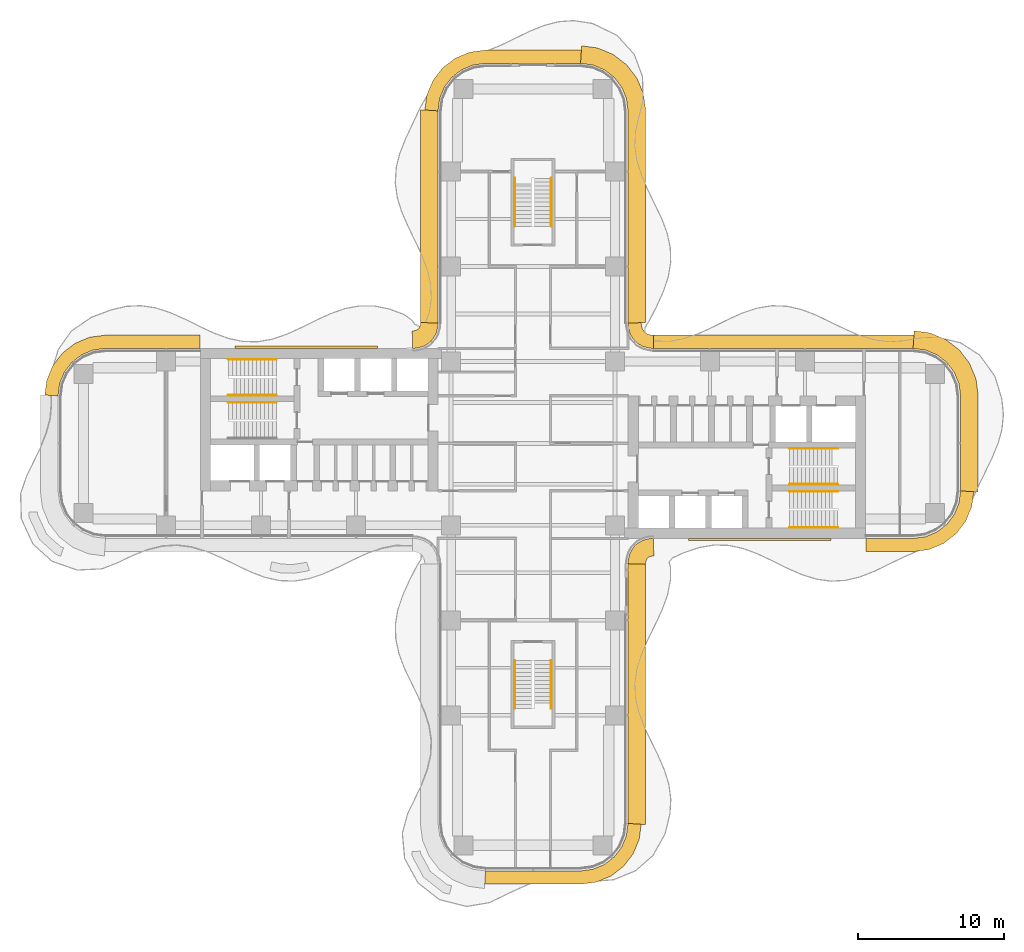
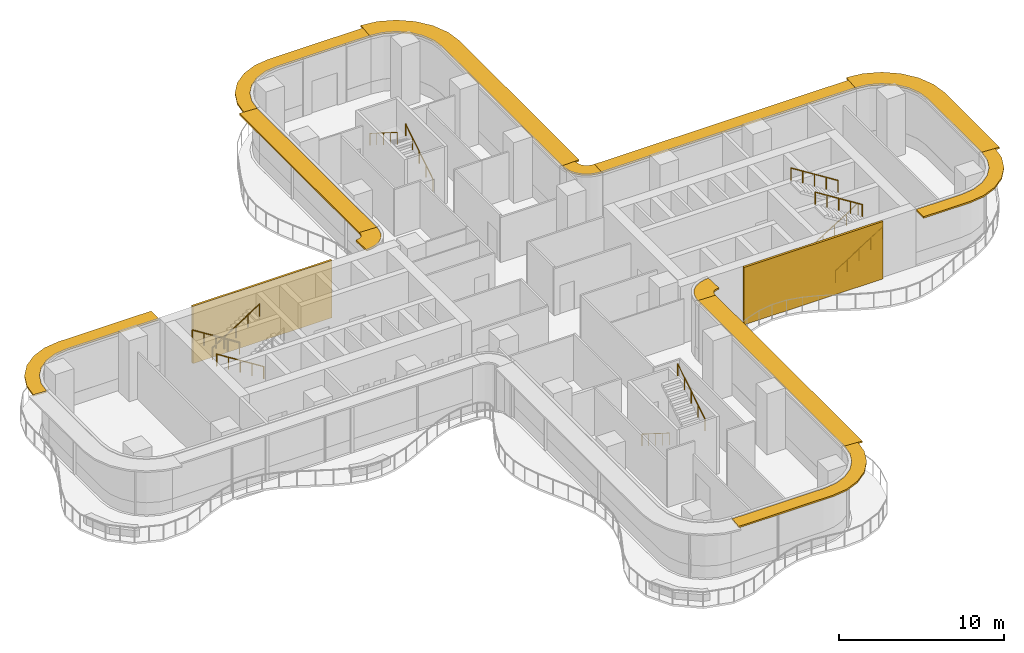
# One storey, part 23 of 23: 12 shading devices, 11 railings, 2 coverings.
"""IFC4 building model written with IfcOpenShell, lengths in metres."""

from ifc_helpers import new_model, si_unit, direction, frame, origin, origin_2d, place, context, subcontext, project, spatial, polyline, circle, outline, extrude, source, transform, mapped, material, layer, layer_set, type_object, element, save


model = new_model("IFC4")

# Units and contexts
model_context = context("Model", 3, precision=1e-05, world=origin(), true_north=direction((0.0, 1.0)))
body_context = subcontext(model_context, "Body", "Model", "MODEL_VIEW")
ifc_project = project(units=[si_unit("LENGTHUNIT", "METRE"), si_unit("AREAUNIT", "SQUARE_METRE"), si_unit("VOLUMEUNIT", "CUBIC_METRE"), si_unit("PLANEANGLEUNIT", "RADIAN"), si_unit("MASSUNIT", "GRAM", prefix="KILO")], contexts=[model_context])

# Site, building, storey
site_placement = place(None, origin())
site = spatial("IfcSite", under=ifc_project, at=site_placement, CompositionType="ELEMENT")
building_placement = place(site_placement, origin())
building = spatial("IfcBuilding", under=site, at=building_placement, Name="Trellis Farm Tower", CompositionType="ELEMENT")
storey_placement = place(building_placement, frame((0.0, 0.0, 111.0)))
storey = spatial("IfcBuildingStorey", under=building, at=storey_placement, Name="L23", CompositionType="ELEMENT", Elevation=111.0)

# Railings
ifc_material_1 = material(Name="Stainless steel", Category="steel")
railing_type = type_object("IfcRailingType", Name="STAIR HANDRAIL 900", PredefinedType="HANDRAIL", material=ifc_material_1)
shared_shape_1 = source(origin(), body_context, "Body", "SweptSolid", [
    extrude(circle(Radius=0.02392578125, at=origin_2d()), frame((0.0, 0.0, 0.8759765625), z_axis=(0.0, 0.846319618018, 0.532675421018), x_axis=(-1.0, 0.0, 0.0)), (0.0, 0.0, 1.0), 3.89892578125),
    extrude(circle(Radius=0.02099609375, at=origin_2d()), origin(), (0.0, 0.0, 1.0), 0.851806640625),
    extrude(circle(Radius=0.02099609375, at=origin_2d()), frame((0.0, 0.824951171875, 0.519287109375)), (0.0, 0.0, 1.0), 0.851806640625),
    extrude(circle(Radius=0.02099609375, at=origin_2d()), frame((0.0, 1.64990234375, 1.03857421875)), (0.0, 0.0, 1.0), 0.851806640625),
    extrude(circle(Radius=0.02099609375, at=origin_2d()), frame((0.0, 2.474853515625, 1.5576171875)), (0.0, 0.0, 1.0), 0.851806640625),
    extrude(circle(Radius=0.02099609375, at=origin_2d()), frame((0.0, 3.2998046875, 2.076904296875)), (0.0, 0.0, 1.0), 0.851806640625),
])
for number, where, name in (
    (1, (1.25, 14.85009765625, 0.173095703125), "Stair handrail"),
    (2, (1.25, -18.14990234375, 2.423095703125), "Stair handrail"),
):
    element("IfcRailing", number, at=place(storey_placement, frame(where)), inside=storey, type_object=railing_type, Name=name, PredefinedType="HANDRAIL", context=body_context, shape_type="MappedRepresentation", body=[
        mapped(shared_shape_1, transform((0.0, 0.0, 0.0))),
    ])
shared_shape_2 = source(origin(), body_context, "Body", "SweptSolid", [
    extrude(circle(Radius=0.02392578125, at=origin_2d()), frame((0.0, 0.0, 0.8759765625), z_axis=(0.0, -0.846319618018, 0.532675421018), x_axis=(1.0, 0.0, 0.0)), (0.0, 0.0, 1.0), 3.89892578125),
    extrude(circle(Radius=0.02099609375, at=origin_2d()), origin(), (0.0, 0.0, 1.0), 0.851806640625),
    extrude(circle(Radius=0.02099609375, at=origin_2d()), frame((0.0, -0.824951171875, 0.519287109375)), (0.0, 0.0, 1.0), 0.851806640625),
    extrude(circle(Radius=0.02099609375, at=origin_2d()), frame((0.0, -1.64990234375, 1.03857421875)), (0.0, 0.0, 1.0), 0.851806640625),
    extrude(circle(Radius=0.02099609375, at=origin_2d()), frame((0.0, -2.474853515625, 1.5576171875)), (0.0, 0.0, 1.0), 0.851806640625),
    extrude(circle(Radius=0.02099609375, at=origin_2d()), frame((0.0, -3.2998046875, 2.076904296875)), (0.0, 0.0, 1.0), 0.851806640625),
])
for number, where, name in (
    (3, (-1.25, 18.14990234375, 2.423095703125), "Stair handrail"),
    (4, (-1.25, -14.85009765625, 0.173095703125), "Stair handrail"),
):
    element("IfcRailing", number, at=place(storey_placement, frame(where)), inside=storey, type_object=railing_type, Name=name, PredefinedType="HANDRAIL", context=body_context, shape_type="MappedRepresentation", body=[
        mapped(shared_shape_2, transform((0.0, 0.0, 0.0))),
    ])
shared_shape_3 = source(origin(), body_context, "Body", "SweptSolid", [
    extrude(circle(Radius=0.02392578125, at=origin_2d()), frame((0.0, 0.0, 0.8759765625), z_axis=(0.846337383501, 0.0, 0.532647194011), x_axis=(0.0, 1.0, 0.0)), (0.0, 0.0, 1.0), 3.899169921875),
    extrude(circle(Radius=0.02099609375, at=origin_2d()), origin(), (0.0, 0.0, 1.0), 0.851806640625),
    extrude(circle(Radius=0.02099609375, at=origin_2d()), frame((0.824951171875, 0.0, 0.519287109375)), (0.0, 0.0, 1.0), 0.851806640625),
    extrude(circle(Radius=0.02099609375, at=origin_2d()), frame((1.64990234375, 0.0, 1.03857421875)), (0.0, 0.0, 1.0), 0.851806640625),
    extrude(circle(Radius=0.02099609375, at=origin_2d()), frame((2.47509765625, 0.0, 1.5576171875)), (0.0, 0.0, 1.0), 0.851806640625),
    extrude(circle(Radius=0.02099609375, at=origin_2d()), frame((3.300048828125, 0.0, 2.076904296875)), (0.0, 0.0, 1.0), 0.851806640625),
])
for number, where, name in (
    (5, (17.550048828125, -5.75, 0.173095703125), "Stair handrail"),
    (6, (17.550048828125, -2.800048828125, 0.173095703125), "Stair handrail"),
    (7, (-20.85009765625, 3.300048828125, 2.423095703125), "Stair handrail"),
):
    element("IfcRailing", number, at=place(storey_placement, frame(where)), inside=storey, type_object=railing_type, Name=name, PredefinedType="HANDRAIL", context=body_context, shape_type="MappedRepresentation", body=[
        mapped(shared_shape_3, transform((0.0, 0.0, 0.0))),
    ])
shared_shape_4 = source(origin(), body_context, "Body", "SweptSolid", [
    extrude(circle(Radius=0.02392578125, at=origin_2d()), frame((0.0, 0.0, 0.8759765625), z_axis=(-0.846337383501, 0.0, 0.532647194011), x_axis=(0.0, -1.0, 0.0)), (0.0, 0.0, 1.0), 3.899169921875),
    extrude(circle(Radius=0.02099609375, at=origin_2d()), origin(), (0.0, 0.0, 1.0), 0.851806640625),
    extrude(circle(Radius=0.02099609375, at=origin_2d()), frame((-0.824951171875, 0.0, 0.519287109375)), (0.0, 0.0, 1.0), 0.851806640625),
    extrude(circle(Radius=0.02099609375, at=origin_2d()), frame((-1.64990234375, 0.0, 1.03857421875)), (0.0, 0.0, 1.0), 0.851806640625),
    extrude(circle(Radius=0.02099609375, at=origin_2d()), frame((-2.47509765625, 0.0, 1.5576171875)), (0.0, 0.0, 1.0), 0.851806640625),
    extrude(circle(Radius=0.02099609375, at=origin_2d()), frame((-3.300048828125, 0.0, 2.076904296875)), (0.0, 0.0, 1.0), 0.851806640625),
])
for number, where, name in (
    (8, (20.85009765625, -3.300048828125, 2.423095703125), "Stair handrail"),
    (9, (20.85009765625, -0.35009765625, 2.423095703125), "Stair handrail"),
    (10, (-17.550048828125, 5.75, 0.173095703125), "Stair handrail"),
    (11, (-17.550048828125, 2.800048828125, 0.173095703125), "Stair handrail"),
):
    element("IfcRailing", number, at=place(storey_placement, frame(where)), inside=storey, type_object=railing_type, Name=name, PredefinedType="HANDRAIL", context=body_context, shape_type="MappedRepresentation", body=[
        mapped(shared_shape_4, transform((0.0, 0.0, 0.0))),
    ])

# Shading devices
ifc_material_2 = material(Name="Aluminium extrusion 6063-T6", Category="aluminium")
ifc_layer_1 = layer(ifc_material_2, 0.1201171875)
ifc_layer_set_1 = layer_set([ifc_layer_1], Name="SUNSHADE BLADE 900")
shading_device_type_1 = type_object("IfcShadingDeviceType", Name="SUNSHADE BLADE 900", PredefinedType="USERDEFINED", material=ifc_layer_set_1)
shared_shape_5 = source(origin(), body_context, "Body", "SweptSolid", [
    extrude(outline(polyline([(-3.30908203125, -30.14990234375), (3.30908203125, -30.14990234375), (4.326171875, -30.01611328125), (5.328857421875, -29.600830078125), (6.18994140625, -28.93994140625), (6.850830078125, -28.078857421875), (7.26611328125, -27.076171875), (7.39990234375, -26.05908203125), (6.5, -26.0), (6.38916015625, -26.841064453125), (6.064697265625, -27.625), (5.548095703125, -28.298095703125), (4.875, -28.814697265625), (4.091064453125, -29.13916015625), (3.25, -29.25), (-3.25, -29.25), (-3.30908203125, -30.14990234375)])), origin(), (0.0, 0.0, 1.0), 0.119873046875),
])
placement_1 = place(storey_placement, frame((0.0, 0.0, 4.090087890625)))
element("IfcShadingDevice", 12, at=placement_1, inside=storey, type_object=shading_device_type_1, Name="SD1 004", ObjectType="SUNSHADE", PredefinedType="USERDEFINED", context=body_context, shape_type="MappedRepresentation", body=[
    mapped(shared_shape_5, transform((0.0, 0.0, 0.0))),
])
ifc_layer_2 = layer(ifc_material_2, 0.1201171875)
ifc_layer_set_2 = layer_set([ifc_layer_2], Name="SUNSHADE BLADE 1200")
shading_device_type_2 = type_object("IfcShadingDeviceType", Name="SUNSHADE BLADE 1200", PredefinedType="USERDEFINED", material=ifc_layer_set_2)
shared_shape_6 = source(origin(), body_context, "Body", "SweptSolid", [
    extrude(outline(polyline([(7.699951171875, -26.07861328125), (7.699951171875, -8.270751953125), (6.5, -8.2314453125), (6.5, -26.0), (7.699951171875, -26.07861328125)])), origin(), (0.0, 0.0, 1.0), 0.119873046875),
])
element("IfcShadingDevice", 13, at=placement_1, inside=storey, type_object=shading_device_type_2, Name="SD2 005", ObjectType="SUNSHADE", PredefinedType="USERDEFINED", context=body_context, shape_type="MappedRepresentation", body=[
    mapped(shared_shape_6, transform((0.0, 0.0, 0.0))),
])
shared_shape_7 = source(origin(), body_context, "Body", "SweptSolid", [
    extrude(outline(polyline([(7.699951171875, -8.270751953125), (7.708740234375, -8.13720703125), (7.70703125, -8.150146484375), (7.7548828125, -7.9716796875), (7.80712890625, -7.881103515625), (7.881103515625, -7.80712890625), (7.9716796875, -7.7548828125), (8.150146484375, -7.70703125), (8.13720703125, -7.708740234375), (8.270751953125, -7.699951171875), (8.2314453125, -6.5), (8.01953125, -6.513916015625), (7.91552734375, -6.527587890625), (7.508544921875, -6.63671875), (7.144287109375, -6.846923828125), (6.846923828125, -7.144287109375), (6.63671875, -7.508544921875), (6.527587890625, -7.91552734375), (6.513916015625, -8.01953125), (6.5, -8.2314453125), (7.699951171875, -8.270751953125)])), origin(), (0.0, 0.0, 1.0), 0.119873046875),
])
element("IfcShadingDevice", 14, at=placement_1, inside=storey, type_object=shading_device_type_2, Name="SD2 006", ObjectType="SUNSHADE", PredefinedType="USERDEFINED", context=body_context, shape_type="MappedRepresentation", body=[
    mapped(shared_shape_7, transform((0.0, 0.0, 0.0))),
])
shared_shape_8 = source(origin(), body_context, "Body", "SweptSolid", [
    extrude(outline(polyline([(8.2607421875, 7.39990234375), (8.107666015625, 7.409912109375), (8.091552734375, 7.412109375), (7.85595703125, 7.475341796875), (7.697021484375, 7.567138671875), (7.567138671875, 7.697021484375), (7.475341796875, 7.85595703125), (7.412109375, 8.091552734375), (7.409912109375, 8.107666015625), (7.39990234375, 8.2607421875), (6.5, 8.2314453125), (6.513916015625, 8.01953125), (6.527587890625, 7.91552734375), (6.63671875, 7.508544921875), (6.846923828125, 7.144287109375), (7.144287109375, 6.846923828125), (7.508544921875, 6.63671875), (7.91552734375, 6.527587890625), (8.01953125, 6.513916015625), (8.2314453125, 6.5), (8.2607421875, 7.39990234375)])), origin(), (0.0, 0.0, 1.0), 0.119873046875),
])
element("IfcShadingDevice", 15, at=placement_1, inside=storey, type_object=shading_device_type_1, Name="SD1 010", ObjectType="SUNSHADE", PredefinedType="USERDEFINED", context=body_context, shape_type="MappedRepresentation", body=[
    mapped(shared_shape_8, transform((0.0, 0.0, 0.0))),
])
shared_shape_9 = source(origin(), body_context, "Body", "SweptSolid", [
    extrude(outline(polyline([(-7.699951171875, 8.270751953125), (-7.708740234375, 8.13720703125), (-7.70703125, 8.150146484375), (-7.7548828125, 7.9716796875), (-7.80712890625, 7.881103515625), (-7.881103515625, 7.80712890625), (-7.9716796875, 7.7548828125), (-8.150146484375, 7.70703125), (-8.13720703125, 7.708740234375), (-8.270751953125, 7.699951171875), (-8.2314453125, 6.5), (-8.01953125, 6.513916015625), (-7.91552734375, 6.527587890625), (-7.508544921875, 6.63671875), (-7.144287109375, 6.846923828125), (-6.846923828125, 7.144287109375), (-6.63671875, 7.508544921875), (-6.527587890625, 7.91552734375), (-6.513916015625, 8.01953125), (-6.5, 8.2314453125), (-7.699951171875, 8.270751953125)])), origin(), (0.0, 0.0, 1.0), 0.119873046875),
])
element("IfcShadingDevice", 16, at=placement_1, inside=storey, type_object=shading_device_type_2, Name="SD2 014", ObjectType="SUNSHADE", PredefinedType="USERDEFINED", context=body_context, shape_type="MappedRepresentation", body=[
    mapped(shared_shape_9, transform((0.0, 0.0, 0.0))),
])
shared_shape_10 = source(origin(), body_context, "Body", "SweptSolid", [
    extrude(outline(polyline([(-22.780029296875, 7.39990234375), (-29.30908203125, 7.39990234375), (-30.326171875, 7.26611328125), (-31.328857421875, 6.850830078125), (-32.18994140625, 6.18994140625), (-32.850830078125, 5.328857421875), (-33.26611328125, 4.326171875), (-33.39990234375, 3.30908203125), (-32.5, 3.25), (-32.38916015625, 4.091064453125), (-32.064697265625, 4.875), (-31.548095703125, 5.548095703125), (-30.875, 6.064697265625), (-30.091064453125, 6.38916015625), (-29.25, 6.5), (-22.780029296875, 6.5), (-22.780029296875, 7.39990234375)])), origin(), (0.0, 0.0, 1.0), 0.119873046875),
])
element("IfcShadingDevice", 17, at=placement_1, inside=storey, type_object=shading_device_type_1, Name="SD1 015", ObjectType="SUNSHADE", PredefinedType="USERDEFINED", context=body_context, shape_type="MappedRepresentation", body=[
    mapped(shared_shape_10, transform((0.0, 0.0, 0.0))),
])

# Coverings
ifc_material_3 = material(Name="Perforated precast screen (cobogo)", Category="concrete")
ifc_layer_3 = layer(ifc_material_3, 0.14990234375)
ifc_layer_set_3 = layer_set([ifc_layer_3], Name="COBOGO SCREEN PANEL")
covering_type = type_object("IfcCoveringType", Name="COBOGO SCREEN PANEL", PredefinedType="USERDEFINED", material=ifc_layer_set_3)
shared_shape_11 = source(origin(), body_context, "Body", "SweptSolid", [
    extrude(outline(polyline([(10.630615234375, -6.64990234375), (20.380615234375, -6.64990234375), (20.380615234375, -6.5), (10.630615234375, -6.5), (10.630615234375, -6.64990234375)])), origin(), (0.0, 0.0, 1.0), 4.25),
])
placement_2 = place(storey_placement, origin())
element("IfcCovering", 18, at=placement_2, inside=storey, type_object=covering_type, Name="SC1 01", ObjectType="SCREEN", PredefinedType="USERDEFINED", context=body_context, shape_type="MappedRepresentation", body=[
    mapped(shared_shape_11, transform((0.0, 0.0, 0.0))),
])
shared_shape_12 = source(origin(), body_context, "Body", "SweptSolid", [
    extrude(outline(polyline([(-10.630615234375, 6.64990234375), (-20.380615234375, 6.64990234375), (-20.380615234375, 6.5), (-10.630615234375, 6.5), (-10.630615234375, 6.64990234375)])), origin(), (0.0, 0.0, 1.0), 4.25),
])
element("IfcCovering", 19, at=placement_2, inside=storey, type_object=covering_type, Name="SC1 02", ObjectType="SCREEN", PredefinedType="USERDEFINED", context=body_context, shape_type="MappedRepresentation", body=[
    mapped(shared_shape_12, transform((0.0, 0.0, 0.0))),
])

# Shading devices
shared_shape_13 = source(origin(), body_context, "Body", "SweptSolid", [
    extrude(outline(polyline([(7.699951171875, 8.270751953125), (7.699951171875, 22.82861328125), (7.558349609375, 23.904541015625), (7.11279296875, 24.980224609375), (6.404052734375, 25.904052734375), (5.480224609375, 26.61279296875), (4.404541015625, 27.058349609375), (3.32861328125, 27.199951171875), (3.25, 26.0), (4.091064453125, 25.88916015625), (4.875, 25.564697265625), (5.548095703125, 25.048095703125), (6.064697265625, 24.375), (6.38916015625, 23.591064453125), (6.5, 22.75), (6.5, 8.2314453125), (7.699951171875, 8.270751953125)])), origin(), (0.0, 0.0, 1.0), 0.119873046875),
])
element("IfcShadingDevice", 20, at=placement_1, inside=storey, type_object=shading_device_type_2, Name="SD2 011", ObjectType="SUNSHADE", PredefinedType="USERDEFINED", context=body_context, shape_type="MappedRepresentation", body=[
    mapped(shared_shape_13, transform((0.0, 0.0, 0.0))),
])
shared_shape_14 = source(origin(), body_context, "Body", "SweptSolid", [
    extrude(outline(polyline([(3.30908203125, 26.89990234375), (-3.30908203125, 26.89990234375), (-4.326171875, 26.76611328125), (-5.328857421875, 26.350830078125), (-6.18994140625, 25.68994140625), (-6.850830078125, 24.828857421875), (-7.26611328125, 23.826171875), (-7.39990234375, 22.80908203125), (-6.5, 22.75), (-6.38916015625, 23.591064453125), (-6.064697265625, 24.375), (-5.548095703125, 25.048095703125), (-4.875, 25.564697265625), (-4.091064453125, 25.88916015625), (-3.25, 26.0), (3.25, 26.0), (3.30908203125, 26.89990234375)])), origin(), (0.0, 0.0, 1.0), 0.119873046875),
])
element("IfcShadingDevice", 21, at=placement_1, inside=storey, type_object=shading_device_type_1, Name="SD1 012", ObjectType="SUNSHADE", PredefinedType="USERDEFINED", context=body_context, shape_type="MappedRepresentation", body=[
    mapped(shared_shape_14, transform((0.0, 0.0, 0.0))),
])
shared_shape_15 = source(origin(), body_context, "Body", "SweptSolid", [
    extrude(outline(polyline([(-7.699951171875, 22.82861328125), (-7.699951171875, 8.270751953125), (-6.5, 8.2314453125), (-6.5, 22.75), (-7.699951171875, 22.82861328125)])), origin(), (0.0, 0.0, 1.0), 0.119873046875),
])
element("IfcShadingDevice", 22, at=placement_1, inside=storey, type_object=shading_device_type_2, Name="SD2 013", ObjectType="SUNSHADE", PredefinedType="USERDEFINED", context=body_context, shape_type="MappedRepresentation", body=[
    mapped(shared_shape_15, transform((0.0, 0.0, 0.0))),
])
shared_shape_16 = source(origin(), body_context, "Body", "SweptSolid", [
    extrude(outline(polyline([(22.780029296875, -7.39990234375), (26.05908203125, -7.39990234375), (27.076171875, -7.26611328125), (28.078857421875, -6.850830078125), (28.93994140625, -6.18994140625), (29.600830078125, -5.328857421875), (30.01611328125, -4.326171875), (30.14990234375, -3.30908203125), (29.25, -3.25), (29.13916015625, -4.091064453125), (28.814697265625, -4.875), (28.298095703125, -5.548095703125), (27.625, -6.064697265625), (26.841064453125, -6.38916015625), (26.0, -6.5), (22.780029296875, -6.5), (22.780029296875, -7.39990234375)])), origin(), (0.0, 0.0, 1.0), 0.119873046875),
])
element("IfcShadingDevice", 23, at=placement_1, inside=storey, type_object=shading_device_type_1, Name="SD1 007", ObjectType="SUNSHADE", PredefinedType="USERDEFINED", context=body_context, shape_type="MappedRepresentation", body=[
    mapped(shared_shape_16, transform((0.0, 0.0, 0.0))),
])
shared_shape_17 = source(origin(), body_context, "Body", "SweptSolid", [
    extrude(outline(polyline([(30.449951171875, -3.32861328125), (30.449951171875, 3.32861328125), (30.308349609375, 4.404541015625), (29.86279296875, 5.480224609375), (29.154052734375, 6.404052734375), (28.230224609375, 7.11279296875), (27.154541015625, 7.558349609375), (26.07861328125, 7.699951171875), (26.0, 6.5), (26.841064453125, 6.38916015625), (27.625, 6.064697265625), (28.298095703125, 5.548095703125), (28.814697265625, 4.875), (29.13916015625, 4.091064453125), (29.25, 3.25), (29.25, -3.25), (30.449951171875, -3.32861328125)])), origin(), (0.0, 0.0, 1.0), 0.119873046875),
])
element("IfcShadingDevice", 24, at=placement_1, inside=storey, type_object=shading_device_type_2, Name="SD2 008", ObjectType="SUNSHADE", PredefinedType="USERDEFINED", context=body_context, shape_type="MappedRepresentation", body=[
    mapped(shared_shape_17, transform((0.0, 0.0, 0.0))),
])
shared_shape_18 = source(origin(), body_context, "Body", "SweptSolid", [
    extrude(outline(polyline([(26.05908203125, 7.39990234375), (8.2607421875, 7.39990234375), (8.2314453125, 6.5), (26.0, 6.5), (26.05908203125, 7.39990234375)])), origin(), (0.0, 0.0, 1.0), 0.119873046875),
])
element("IfcShadingDevice", 25, at=placement_1, inside=storey, type_object=shading_device_type_1, Name="SD1 009", ObjectType="SUNSHADE", PredefinedType="USERDEFINED", context=body_context, shape_type="MappedRepresentation", body=[
    mapped(shared_shape_18, transform((0.0, 0.0, 0.0))),
])

save(model, "model.ifc")
